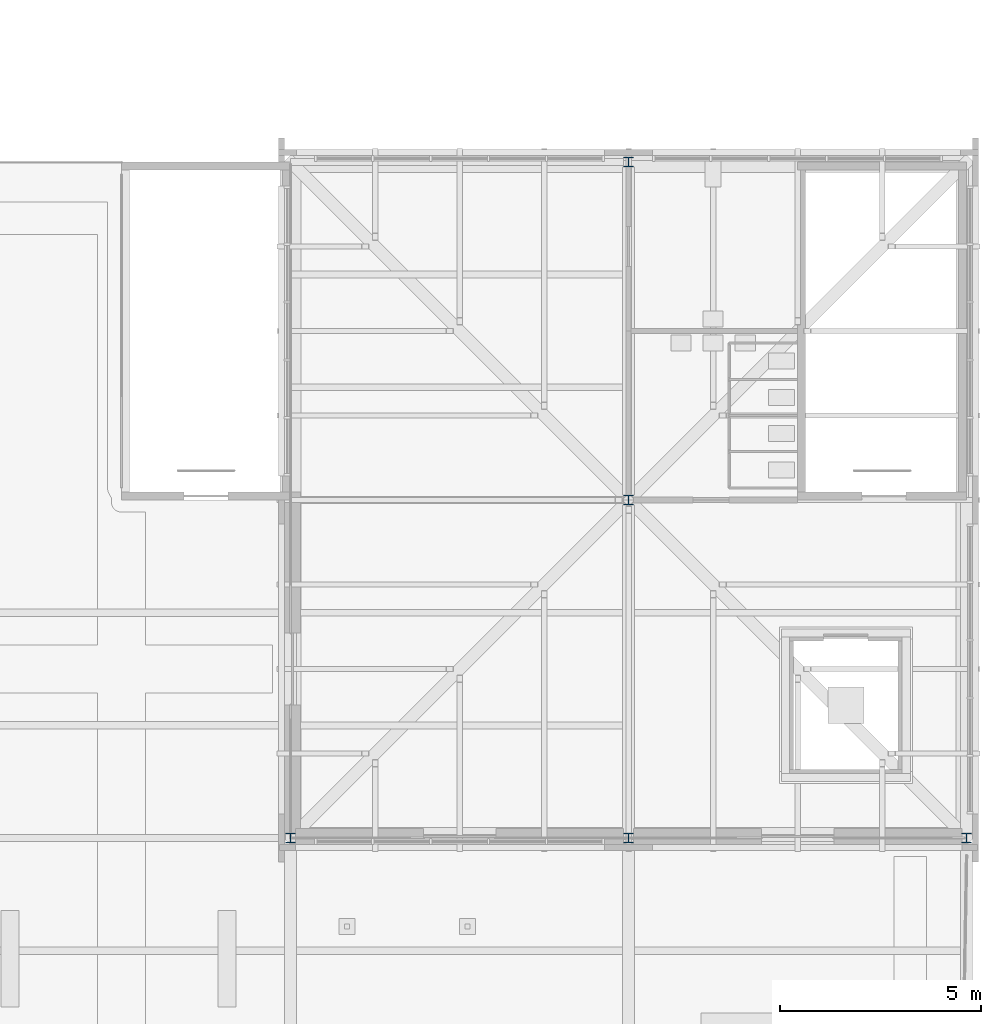
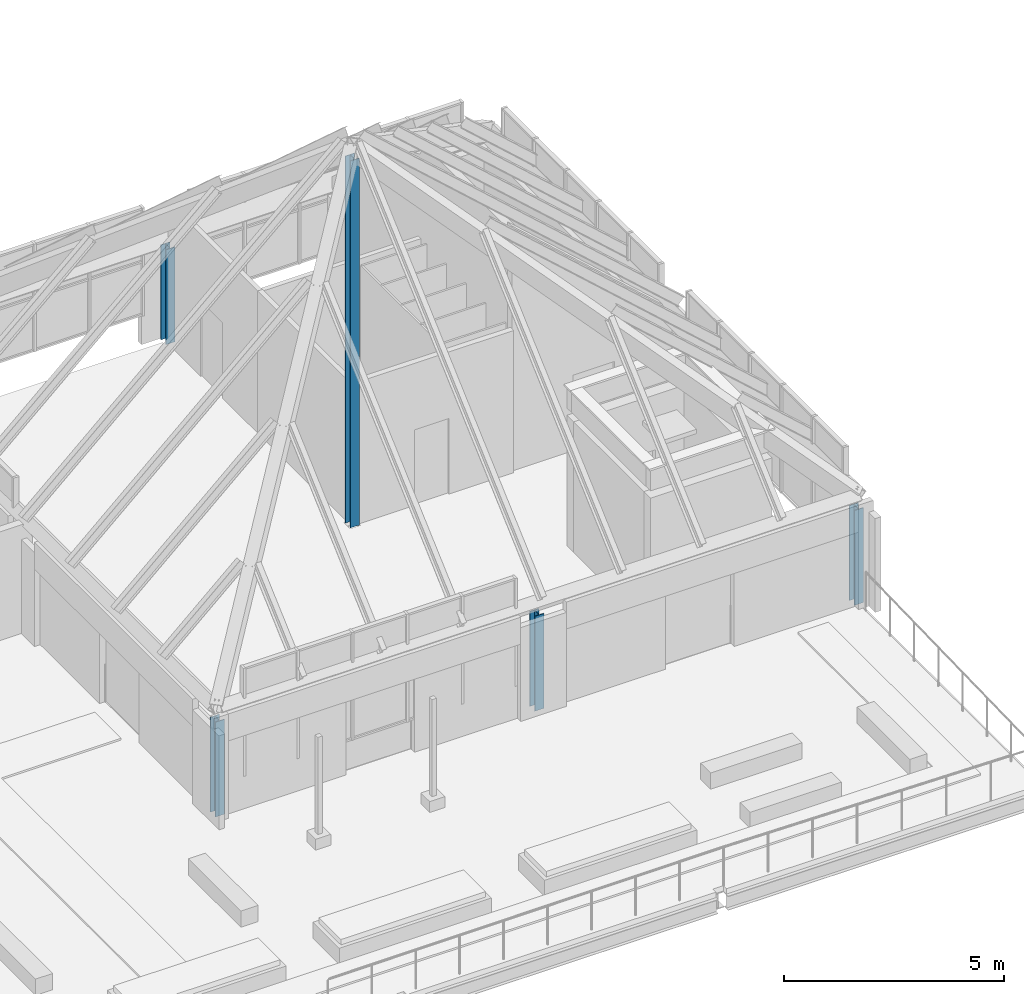
# One storey, part 3 of 126: 5 columns.
"""IFC4 building model written with IfcOpenShell, lengths in metres."""

from ifc_helpers import new_model, si_unit, direction, frame, origin, origin_2d, place, context, subcontext, project, spatial, i_section, extrude, material, material_profile, profile_set, type_object, element, save


model = new_model("IFC4")

# Units and contexts
model_context = context("Model", 3, precision=1e-05, world=origin(), true_north=direction((0.0, 1.0)))
body_context = subcontext(model_context, "Body", "Model", "MODEL_VIEW")
ifc_project = project(units=[si_unit("LENGTHUNIT", "METRE"), si_unit("AREAUNIT", "SQUARE_METRE"), si_unit("VOLUMEUNIT", "CUBIC_METRE"), si_unit("PLANEANGLEUNIT", "RADIAN"), si_unit("MASSUNIT", "GRAM", prefix="KILO")], contexts=[model_context])

# Site, building, storey
site_placement = place(None, origin())
site = spatial("IfcSite", under=ifc_project, at=site_placement, CompositionType="ELEMENT")
building_placement = place(site_placement, origin())
building = spatial("IfcBuilding", under=site, at=building_placement, Name="Sava Quay Ferry Terminal", CompositionType="ELEMENT")
storey_placement = place(building_placement, frame((0.0, 0.0, 15.0)))
storey = spatial("IfcBuildingStorey", under=building, at=storey_placement, Name="L03", CompositionType="ELEMENT", Elevation=15.0)

# Columns
ifc_material = material(Name="Steel S355", Category="steel")
ifc_material_profile = material_profile(ifc_material, i_section(OverallWidth=0.239990234375, OverallDepth=0.239990234375, WebThickness=0.010009765625, FlangeThickness=0.01708984375, at=origin_2d()), Name="HE 240 B")
ifc_profile_set = profile_set([ifc_material_profile], Name="Steel S355")
column_type = type_object("IfcColumnType", Name="Column HE 240 B", PredefinedType="COLUMN", material=ifc_profile_set)
for number, where, z_axis, x_axis, name in (
    (1, (109.199951171875, 33.60009765625, 0.0), (0.0, 0.0, 1.0), (1.0, 0.0, 0.0), "Column L03 109.2/33.6"),
    (2, (117.60009765625, 33.60009765625, 0.0), (0.0, 0.0, 1.0), (1.0, 0.0, 0.0), "Column L03 117.6/33.6"),
):
    element("IfcColumn", number, at=place(storey_placement, frame(where, z_axis=z_axis, x_axis=x_axis)), inside=storey, type_object=column_type, Name=name, PredefinedType="COLUMN", context=body_context, shape_type="SweptSolid", body=[
        extrude(i_section(OverallWidth=0.239990234375, OverallDepth=0.239990234375, WebThickness=0.010009765625, FlangeThickness=0.01708984375, at=origin_2d()), origin(), (0.0, 0.0, 1.0), 2.635009765625),
    ])
column_placement = place(storey_placement, frame((117.60009765625, 42.0, 0.0), z_axis=(0.0, 0.0, 1.0), x_axis=(1.0, 0.0, 0.0)))
element("IfcColumn", 3, at=column_placement, inside=storey, type_object=column_type, Name="Column L03 117.6/42", PredefinedType="COLUMN", context=body_context, shape_type="SweptSolid", body=[
    extrude(i_section(OverallWidth=0.239990234375, OverallDepth=0.239990234375, WebThickness=0.010009765625, FlangeThickness=0.01708984375, at=origin_2d()), origin(), (0.0, 0.0, 1.0), 10.198486328125),
])
for number, where, z_axis, x_axis, name in (
    (4, (117.60009765625, 50.39990234375, 0.0), (0.0, 0.0, 1.0), (1.0, 0.0, 0.0), "Column L03 117.6/50.4"),
    (5, (126.0, 33.60009765625, 0.0), (0.0, 0.0, 1.0), (1.0, 0.0, 0.0), "Column L03 126/33.6"),
):
    element("IfcColumn", number, at=place(storey_placement, frame(where, z_axis=z_axis, x_axis=x_axis)), inside=storey, type_object=column_type, Name=name, PredefinedType="COLUMN", context=body_context, shape_type="SweptSolid", body=[
        extrude(i_section(OverallWidth=0.239990234375, OverallDepth=0.239990234375, WebThickness=0.010009765625, FlangeThickness=0.01708984375, at=origin_2d()), origin(), (0.0, 0.0, 1.0), 2.635009765625),
    ])

save(model, "model.ifc")
